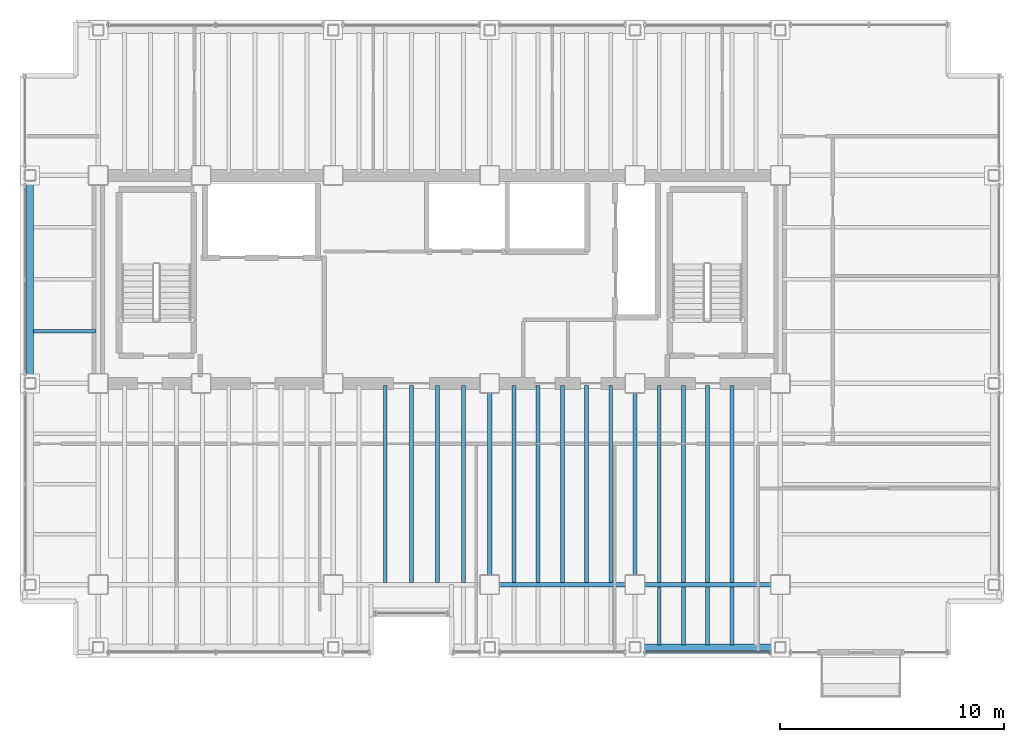
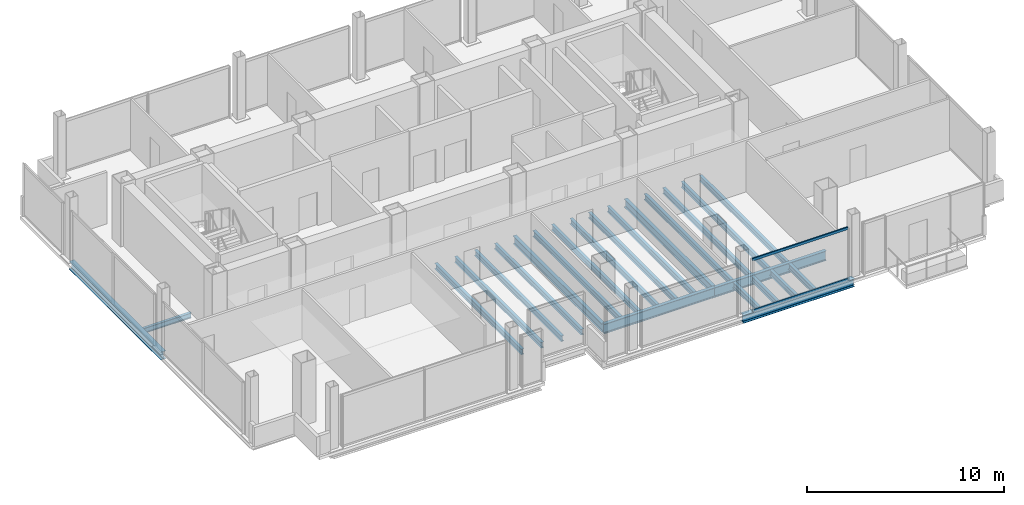
# One storey, part 5 of 16: 24 beams, 2 members, 1 element without a shape of its own.
"""IFC4 building model written with IfcOpenShell, lengths in metres."""

import ifcopenshell
import ifcopenshell.guid

model = None  # the IFC model being written
_history = None  # IfcOwnerHistory: only IFC2X3 demands one
_inside = {}  # id of a spatial element -> (the spatial element, [elements in it])
_under = {}  # id of a project, library or spatial element -> (it, [spatial elements below it])
_declared = {}  # id of a project -> (the project, [libraries it declares])
_typed = {}  # id of a type object -> (the type object, [elements of that type])
_made_of = {}  # id of a material, layer set ... -> (it, [elements and type objects made of it])


def new_model(schema):
    """Start an empty IFC model of exactly this schema.

    Asked for "IFC4X3", IfcOpenShell would pick the latest addendum, in which some entities
    have other attributes; the version numbers below select the first issue.
    IFC2X3 requires an IfcOwnerHistory on every rooted entity: one is made here for all.
    """
    global model, _history
    if schema == "IFC4X3":
        model = ifcopenshell.file(schema_version=(4, 3, 0, 0))
    else:
        model = ifcopenshell.file(schema=schema)
    _inside.clear()
    _under.clear()
    _declared.clear()
    _typed.clear()
    _made_of.clear()
    _history = None
    if model.schema == "IFC2X3":
        org = make("IfcOrganization", Name="unknown")
        user = make(
            "IfcPersonAndOrganization",
            ThePerson=make("IfcPerson", FamilyName="unknown"),
            TheOrganization=org,
        )
        app = make(
            "IfcApplication",
            ApplicationDeveloper=org,
            Version="unknown",
            ApplicationFullName="unknown",
            ApplicationIdentifier="unknown",
        )
        _history = make(
            "IfcOwnerHistory",
            OwningUser=user,
            OwningApplication=app,
            ChangeAction="ADDED",
            CreationDate=0,
        )
    return model


def make(cls, **values):
    """One entity of the class cls with the attributes given. An attribute that is None is left unset."""
    return model.create_entity(
        cls, **{name: value for name, value in values.items() if value is not None}
    )


def rooted(cls, **values):
    """An entity with a GlobalId (a new one), such as an element, a storey or a relation."""
    return make(cls, GlobalId=ifcopenshell.guid.new(), OwnerHistory=_history, **values)


def si_unit(unit_type, name, prefix=None):
    """IfcSIUnit, for example si_unit("LENGTHUNIT", "METRE", prefix="MILLI")."""
    return make("IfcSIUnit", UnitType=unit_type, Prefix=prefix, Name=name)


def assignment(units):
    """IfcUnitAssignment: the units of a project."""
    return None if units is None else make("IfcUnitAssignment", Units=units)


def point(xyz):
    """IfcCartesianPoint."""
    return None if xyz is None else make("IfcCartesianPoint", Coordinates=xyz)


def direction(xyz):
    """IfcDirection."""
    return None if xyz is None else make("IfcDirection", DirectionRatios=xyz)


def frame(location, z_axis=None, x_axis=None):
    """IfcAxis2Placement3D, a coordinate frame: its origin and axes. An axis left out is left unset."""
    return make(
        "IfcAxis2Placement3D",
        Location=point(location),
        Axis=direction(z_axis),
        RefDirection=direction(x_axis),
    )


def frame_2d(location, x_axis=None):
    """IfcAxis2Placement2D, a coordinate frame in the plane: its origin and x axis."""
    return make(
        "IfcAxis2Placement2D", Location=point(location), RefDirection=direction(x_axis)
    )


def origin():
    """The frame at (0, 0, 0) with its axes left unset."""
    return frame((0.0, 0.0, 0.0))


def origin_2d():
    """The frame at (0, 0) in the plane with its x axis left unset."""
    return frame_2d((0.0, 0.0))


def place(relative_to, where):
    """IfcLocalPlacement: puts the frame where relative to a parent placement (None: the world)."""
    return make(
        "IfcLocalPlacement", PlacementRelTo=relative_to, RelativePlacement=where
    )


def context(
    kind, dimensions, precision=None, world=None, true_north=None, identifier=None
):
    """IfcGeometricRepresentationContext, for example the 3D "Model" context."""
    return make(
        "IfcGeometricRepresentationContext",
        ContextIdentifier=identifier,
        ContextType=kind,
        CoordinateSpaceDimension=dimensions,
        Precision=precision,
        WorldCoordinateSystem=world,
        TrueNorth=true_north,
    )


def subcontext(parent, identifier, kind, view, scale=None):
    """IfcGeometricRepresentationSubContext, for example "Body" below "Model"."""
    return make(
        "IfcGeometricRepresentationSubContext",
        ContextIdentifier=identifier,
        ContextType=kind,
        ParentContext=parent,
        TargetScale=scale,
        TargetView=view,
    )


def project(units=None, contexts=None):
    """IfcProject with its units and contexts."""
    return rooted(
        "IfcProject",
        Name="project",
        RepresentationContexts=contexts,
        UnitsInContext=assignment(units),
    )


def spatial(cls, under=None, at=None, **own):
    """A site, building, storey or space (cls), placed at a placement, below another one or the project."""
    s = rooted(cls, ObjectPlacement=at, **own)
    if under is not None:
        _under.setdefault(under.id(), (under, []))[1].append(s)
    return s


def profile(cls, at=None, kind="AREA", **sizes):
    """A parametric profile (cls). Its sizes go by their IFC names, for example OverallWidth=200.0."""
    return make(cls, ProfileType=kind, Position=at, **sizes)


def hollow_rectangle(**sizes):
    """IfcRectangleHollowProfileDef."""
    return profile("IfcRectangleHollowProfileDef", **sizes)


def i_section(**sizes):
    """IfcIShapeProfileDef."""
    return profile("IfcIShapeProfileDef", **sizes)


def extrude(swept, where, along, depth):
    """IfcExtrudedAreaSolid: the profile swept, set in the frame where, extruded along a direction by depth."""
    return make(
        "IfcExtrudedAreaSolid",
        SweptArea=swept,
        Position=where,
        ExtrudedDirection=direction(along),
        Depth=depth,
    )


def shape(context_of_items, identifier, shape_type, items):
    """IfcShapeRepresentation: the items that make up one representation, for example the "Body"."""
    return make(
        "IfcShapeRepresentation",
        ContextOfItems=context_of_items,
        RepresentationIdentifier=identifier,
        RepresentationType=shape_type,
        Items=items,
    )


def material(Name=None, Category=None):
    """IfcMaterial."""
    return make("IfcMaterial", Name=Name, Category=Category)


def material_profile(
    of_material, cross_section, Name=None, Category=None, Priority=None
):
    """IfcMaterialProfile: a cross section and its material."""
    return make(
        "IfcMaterialProfile",
        Name=Name,
        Material=of_material,
        Profile=cross_section,
        Priority=Priority,
        Category=Category,
    )


def profile_set(profiles, Name=None, composite=None):
    """IfcMaterialProfileSet."""
    return make(
        "IfcMaterialProfileSet",
        Name=Name,
        MaterialProfiles=profiles,
        CompositeProfile=composite,
    )


def made_of(thing, what):
    """Note that an element or type object is made of a material, layer set ...; save() writes the relation."""
    if what is not None:
        _made_of.setdefault(what.id(), (what, []))[1].append(thing)
    return thing


def type_object(cls, material=None, **own):
    """A type object (cls), such as IfcWallType, which elements share."""
    return made_of(rooted(cls, **own), material)


def element(
    cls,
    number,
    at=None,
    inside=None,
    cuts=None,
    type_object=None,
    material=None,
    context=None,
    identifier="Body",
    shape_type=None,
    held_by="IfcProductDefinitionShape",
    body=None,
    shapes=None,
    **own,
):
    """One element of the class cls, such as IfcWall. Its Tag is "e" and its number.

    at: its placement. inside: the storey or other place that contains it. cuts: it is an
    opening in that element (IfcRelVoidsElement). A single representation is given by context,
    identifier, shape_type and body (its items); several are given by shapes. held_by: the class
    of the entity that holds the representations. save() writes the other relations.
    """
    e = rooted(cls, Tag="e%d" % number, ObjectPlacement=at, **own)
    if body is not None:
        shapes = [shape(context, identifier, shape_type, body)]
    if shapes is not None:
        e.Representation = make(held_by, Representations=shapes)
    if inside is not None:
        _inside.setdefault(inside.id(), (inside, []))[1].append(e)
    if cuts is not None:
        rooted(
            "IfcRelVoidsElement", RelatingBuildingElement=cuts, RelatedOpeningElement=e
        )
    if type_object is not None:
        _typed.setdefault(type_object.id(), (type_object, []))[1].append(e)
    return made_of(e, material)


def aggregate(whole, parts):
    """IfcRelAggregates: a whole, such as a stair, and the parts it consists of."""
    return rooted("IfcRelAggregates", RelatingObject=whole, RelatedObjects=parts)


def save(model, path):
    """Write the relations noted so far, then the file.

    IfcRelAggregates (storeys below a building ...), IfcRelContainedInSpatialStructure (elements
    in a storey), IfcRelDefinesByType, IfcRelAssociatesMaterial and IfcRelDeclares: one each for
    every whole, place, type object, material and project.
    """
    for whole, parts in _under.values():
        aggregate(whole, parts)
    for where, things in _inside.values():
        rooted(
            "IfcRelContainedInSpatialStructure",
            RelatedElements=things,
            RelatingStructure=where,
        )
    for kind, things in _typed.values():
        rooted("IfcRelDefinesByType", RelatedObjects=things, RelatingType=kind)
    for what, things in _made_of.values():
        rooted("IfcRelAssociatesMaterial", RelatedObjects=things, RelatingMaterial=what)
    for by, libraries in _declared.values():
        rooted("IfcRelDeclares", RelatingContext=by, RelatedDefinitions=libraries)
    model.write(path)


model = new_model("IFC4")

# Units and contexts
model_context = context("Model", 3, precision=1e-05, world=origin(), true_north=direction((0.0, 1.0)))
body_context = subcontext(model_context, "Body", "Model", "MODEL_VIEW")
ifc_project = project(units=[si_unit("LENGTHUNIT", "METRE"), si_unit("AREAUNIT", "SQUARE_METRE"), si_unit("VOLUMEUNIT", "CUBIC_METRE"), si_unit("PLANEANGLEUNIT", "RADIAN"), si_unit("MASSUNIT", "GRAM", prefix="KILO")], contexts=[model_context])

# Site, building, storey
site_placement = place(None, origin())
site = spatial("IfcSite", under=ifc_project, at=site_placement, CompositionType="ELEMENT")
building_placement = place(site_placement, origin())
building = spatial("IfcBuilding", under=site, at=building_placement, Name="Noeulbin Bourse Tower", CompositionType="ELEMENT")
storey_placement = place(building_placement, frame((0.0, 0.0, 177.300048828125)))
storey = spatial("IfcBuildingStorey", under=building, at=storey_placement, Name="L44", CompositionType="ELEMENT", Elevation=177.300048828125)

# Beams
ifc_material_1 = material(Name="Steel S355", Category="steel")
ifc_material_profile_1 = material_profile(ifc_material_1, i_section(OverallWidth=0.199951171875, OverallDepth=0.5, WebThickness=0.010009765625, FlangeThickness=0.01611328125, FilletRadius=0.02001953125, at=origin_2d()), Name="H-500x200x10x16", Category="LoadBearing")
ifc_profile_set_1 = profile_set([ifc_material_profile_1], Name="Steel S355")
beam_type_1 = type_object("IfcBeamType", Name="BM-GRD-500", PredefinedType="USERDEFINED", material=ifc_profile_set_1)
for number, where, z_axis, x_axis, name in (
    (1, (31.0, 20.0, -0.429931640625), (0.0, 1.0, 0.0), (-1.0, 0.0, 0.0), "Tower Primary Girder NS L44-3.2"),
    (2, (37.5, 20.0, -0.429931640625), (0.0, 1.0, 0.0), (-1.0, 0.0, 0.0), "Tower Primary Girder NS L44-4.2"),
):
    element("IfcBeam", number, at=place(storey_placement, frame(where, z_axis=z_axis, x_axis=x_axis)), inside=storey, type_object=beam_type_1, Name=name, ObjectType="GIRDER", PredefinedType="USERDEFINED", context=body_context, shape_type="SweptSolid", body=[
        extrude(i_section(OverallWidth=0.199951171875, OverallDepth=0.5, WebThickness=0.010009765625, FlangeThickness=0.01611328125, FilletRadius=0.02001953125, at=origin_2d()), origin(), (0.0, 0.0, 1.0), 9.0),
    ])
ifc_material_profile_2 = material_profile(ifc_material_1, i_section(OverallWidth=0.199951171875, OverallDepth=0.60009765625, WebThickness=0.010986328125, FlangeThickness=0.01708984375, FilletRadius=0.02197265625, at=origin_2d()), Name="H-600x200x11x17", Category="LoadBearing")
ifc_profile_set_2 = profile_set([ifc_material_profile_2], Name="Steel S355")
beam_type_2 = type_object("IfcBeamType", Name="BM-GRD-600", PredefinedType="USERDEFINED", material=ifc_profile_set_2)
for number, where, z_axis, x_axis, name in (
    (3, (31.0, 20.0, -0.47998046875), (1.0, 0.0, 0.0), (0.0, 1.0, 0.0), "Tower Primary Girder EW L44-1.4"),
    (4, (37.5, 20.0, -0.47998046875), (1.0, 0.0, 0.0), (0.0, 1.0, 0.0), "Tower Primary Girder EW L44-1.5"),
):
    element("IfcBeam", number, at=place(storey_placement, frame(where, z_axis=z_axis, x_axis=x_axis)), inside=storey, type_object=beam_type_2, Name=name, ObjectType="GIRDER", PredefinedType="USERDEFINED", context=body_context, shape_type="SweptSolid", body=[
        extrude(i_section(OverallWidth=0.199951171875, OverallDepth=0.60009765625, WebThickness=0.010986328125, FlangeThickness=0.01708984375, FilletRadius=0.02197265625, at=origin_2d()), origin(), (0.0, 0.0, 1.0), 6.5),
    ])
ifc_material_profile_3 = material_profile(ifc_material_1, i_section(OverallWidth=0.159912109375, OverallDepth=0.320068359375, WebThickness=0.006591796875, FlangeThickness=0.010009765625, FilletRadius=0.012939453125, at=origin_2d()), Name="H-320x160x6.5x10", Category="LoadBearing")
ifc_profile_set_3 = profile_set([ifc_material_profile_3], Name="Steel S355")
beam_type_3 = type_object("IfcBeamType", Name="BM-JST-320", PredefinedType="JOIST", material=ifc_profile_set_3)
beam_1_placement = place(storey_placement, frame((10.60009765625, 31.324951171875, -0.340087890625), z_axis=(1.0, 0.0, 0.0), x_axis=(0.0, 1.0, 0.0)))
element("IfcBeam", 5, at=beam_1_placement, inside=storey, type_object=beam_type_3, Name="Wing Composite Joist L44-W70", PredefinedType="JOIST", context=body_context, shape_type="SweptSolid", body=[
    extrude(i_section(OverallWidth=0.159912109375, OverallDepth=0.320068359375, WebThickness=0.006591796875, FlangeThickness=0.010009765625, FilletRadius=0.012939453125, at=origin_2d()), origin(), (0.0, 0.0, 1.0), 2.7998046875),
])
ifc_material_profile_4 = material_profile(ifc_material_1, i_section(OverallWidth=0.175048828125, OverallDepth=0.35009765625, WebThickness=0.007080078125, FlangeThickness=0.010986328125, FilletRadius=0.013916015625, at=origin_2d()), Name="H-350x175x7x11", Category="LoadBearing")
ifc_profile_set_4 = profile_set([ifc_material_profile_4], Name="Steel S355")
beam_type_4 = type_object("IfcBeamType", Name="BM-JST-350", PredefinedType="JOIST", material=ifc_profile_set_4)
for number, where, z_axis, x_axis, name in (
    (6, (26.333251953125, 20.10009765625, -0.35498046875), (0.0, 1.0, 0.0), (-1.0, 0.0, 0.0), "Tower Composite Joist L44-28"),
    (7, (27.5, 20.10009765625, -0.35498046875), (0.0, 1.0, 0.0), (-1.0, 0.0, 0.0), "Tower Composite Joist L44-30"),
    (8, (28.666748046875, 20.10009765625, -0.35498046875), (0.0, 1.0, 0.0), (-1.0, 0.0, 0.0), "Tower Composite Joist L44-32"),
    (9, (29.833251953125, 20.10009765625, -0.35498046875), (0.0, 1.0, 0.0), (-1.0, 0.0, 0.0), "Tower Composite Joist L44-35"),
    (10, (32.083251953125, 20.10009765625, -0.35498046875), (0.0, 1.0, 0.0), (-1.0, 0.0, 0.0), "Tower Composite Joist L44-38"),
    (11, (33.166748046875, 20.10009765625, -0.35498046875), (0.0, 1.0, 0.0), (-1.0, 0.0, 0.0), "Tower Composite Joist L44-41"),
    (12, (34.25, 20.10009765625, -0.35498046875), (0.0, 1.0, 0.0), (-1.0, 0.0, 0.0), "Tower Composite Joist L44-44"),
    (13, (35.333251953125, 20.10009765625, -0.35498046875), (0.0, 1.0, 0.0), (-1.0, 0.0, 0.0), "Tower Composite Joist L44-47"),
    (14, (36.416748046875, 20.10009765625, -0.35498046875), (0.0, 1.0, 0.0), (-1.0, 0.0, 0.0), "Tower Composite Joist L44-50"),
):
    element("IfcBeam", number, at=place(storey_placement, frame(where, z_axis=z_axis, x_axis=x_axis)), inside=storey, type_object=beam_type_4, Name=name, PredefinedType="JOIST", context=body_context, shape_type="SweptSolid", body=[
        extrude(i_section(OverallWidth=0.175048828125, OverallDepth=0.35009765625, WebThickness=0.007080078125, FlangeThickness=0.010986328125, FilletRadius=0.013916015625, at=origin_2d()), origin(), (0.0, 0.0, 1.0), 8.7998046875),
    ])
beam_2_placement = place(storey_placement, frame((38.583251953125, 17.300048828125, -0.35498046875), z_axis=(0.0, 1.0, 0.0), x_axis=(-1.0, 0.0, 0.0)))
element("IfcBeam", 15, at=beam_2_placement, inside=storey, type_object=beam_type_4, Name="Tower Composite Joist L44-52", PredefinedType="JOIST", context=body_context, shape_type="SweptSolid", body=[
    extrude(i_section(OverallWidth=0.175048828125, OverallDepth=0.35009765625, WebThickness=0.007080078125, FlangeThickness=0.010986328125, FilletRadius=0.013916015625, at=origin_2d()), origin(), (0.0, 0.0, 1.0), 2.599853515625),
])
beam_3_placement = place(storey_placement, frame((38.583251953125, 20.10009765625, -0.35498046875), z_axis=(0.0, 1.0, 0.0), x_axis=(-1.0, 0.0, 0.0)))
element("IfcBeam", 16, at=beam_3_placement, inside=storey, type_object=beam_type_4, Name="Tower Composite Joist L44-53", PredefinedType="JOIST", context=body_context, shape_type="SweptSolid", body=[
    extrude(i_section(OverallWidth=0.175048828125, OverallDepth=0.35009765625, WebThickness=0.007080078125, FlangeThickness=0.010986328125, FilletRadius=0.013916015625, at=origin_2d()), origin(), (0.0, 0.0, 1.0), 8.7998046875),
])
beam_4_placement = place(storey_placement, frame((39.666748046875, 17.300048828125, -0.35498046875), z_axis=(0.0, 1.0, 0.0), x_axis=(-1.0, 0.0, 0.0)))
element("IfcBeam", 17, at=beam_4_placement, inside=storey, type_object=beam_type_4, Name="Tower Composite Joist L44-55", PredefinedType="JOIST", context=body_context, shape_type="SweptSolid", body=[
    extrude(i_section(OverallWidth=0.175048828125, OverallDepth=0.35009765625, WebThickness=0.007080078125, FlangeThickness=0.010986328125, FilletRadius=0.013916015625, at=origin_2d()), origin(), (0.0, 0.0, 1.0), 2.599853515625),
])
beam_5_placement = place(storey_placement, frame((39.666748046875, 20.10009765625, -0.35498046875), z_axis=(0.0, 1.0, 0.0), x_axis=(-1.0, 0.0, 0.0)))
element("IfcBeam", 18, at=beam_5_placement, inside=storey, type_object=beam_type_4, Name="Tower Composite Joist L44-56", PredefinedType="JOIST", context=body_context, shape_type="SweptSolid", body=[
    extrude(i_section(OverallWidth=0.175048828125, OverallDepth=0.35009765625, WebThickness=0.007080078125, FlangeThickness=0.010986328125, FilletRadius=0.013916015625, at=origin_2d()), origin(), (0.0, 0.0, 1.0), 8.7998046875),
])
beam_6_placement = place(storey_placement, frame((40.75, 17.300048828125, -0.35498046875), z_axis=(0.0, 1.0, 0.0), x_axis=(-1.0, 0.0, 0.0)))
element("IfcBeam", 19, at=beam_6_placement, inside=storey, type_object=beam_type_4, Name="Tower Composite Joist L44-58", PredefinedType="JOIST", context=body_context, shape_type="SweptSolid", body=[
    extrude(i_section(OverallWidth=0.175048828125, OverallDepth=0.35009765625, WebThickness=0.007080078125, FlangeThickness=0.010986328125, FilletRadius=0.013916015625, at=origin_2d()), origin(), (0.0, 0.0, 1.0), 2.599853515625),
])
beam_7_placement = place(storey_placement, frame((40.75, 20.10009765625, -0.35498046875), z_axis=(0.0, 1.0, 0.0), x_axis=(-1.0, 0.0, 0.0)))
element("IfcBeam", 20, at=beam_7_placement, inside=storey, type_object=beam_type_4, Name="Tower Composite Joist L44-59", PredefinedType="JOIST", context=body_context, shape_type="SweptSolid", body=[
    extrude(i_section(OverallWidth=0.175048828125, OverallDepth=0.35009765625, WebThickness=0.007080078125, FlangeThickness=0.010986328125, FilletRadius=0.013916015625, at=origin_2d()), origin(), (0.0, 0.0, 1.0), 8.7998046875),
])
beam_8_placement = place(storey_placement, frame((41.833251953125, 17.300048828125, -0.35498046875), z_axis=(0.0, 1.0, 0.0), x_axis=(-1.0, 0.0, 0.0)))
element("IfcBeam", 21, at=beam_8_placement, inside=storey, type_object=beam_type_4, Name="Tower Composite Joist L44-61", PredefinedType="JOIST", context=body_context, shape_type="SweptSolid", body=[
    extrude(i_section(OverallWidth=0.175048828125, OverallDepth=0.35009765625, WebThickness=0.007080078125, FlangeThickness=0.010986328125, FilletRadius=0.013916015625, at=origin_2d()), origin(), (0.0, 0.0, 1.0), 2.599853515625),
])
beam_9_placement = place(storey_placement, frame((41.833251953125, 20.10009765625, -0.35498046875), z_axis=(0.0, 1.0, 0.0), x_axis=(-1.0, 0.0, 0.0)))
element("IfcBeam", 22, at=beam_9_placement, inside=storey, type_object=beam_type_4, Name="Tower Composite Joist L44-62", PredefinedType="JOIST", context=body_context, shape_type="SweptSolid", body=[
    extrude(i_section(OverallWidth=0.175048828125, OverallDepth=0.35009765625, WebThickness=0.007080078125, FlangeThickness=0.010986328125, FilletRadius=0.013916015625, at=origin_2d()), origin(), (0.0, 0.0, 1.0), 8.7998046875),
])
ifc_material_profile_5 = material_profile(ifc_material_1, i_section(OverallWidth=0.300048828125, OverallDepth=0.488037109375, WebThickness=0.010986328125, FlangeThickness=0.01806640625, FilletRadius=0.02197265625, at=origin_2d()), Name="H-488x300x11x18", Category="LoadBearing")
ifc_profile_set_5 = profile_set([ifc_material_profile_5], Name="Steel S355")
beam_type_5 = type_object("IfcBeamType", Name="BM-SPN-488", PredefinedType="SPANDREL", material=ifc_profile_set_5)
beam_10_placement = place(storey_placement, frame((37.5, 17.199951171875, -0.424072265625), z_axis=(1.0, 0.0, 0.0), x_axis=(0.0, 1.0, 0.0)))
element("IfcBeam", 23, at=beam_10_placement, inside=storey, type_object=beam_type_5, Name="South Spandrel L44-4", PredefinedType="SPANDREL", context=body_context, shape_type="SweptSolid", body=[
    extrude(i_section(OverallWidth=0.300048828125, OverallDepth=0.488037109375, WebThickness=0.010986328125, FlangeThickness=0.01806640625, FilletRadius=0.02197265625, at=origin_2d()), origin(), (0.0, 0.0, 1.0), 6.5),
])
beam_11_placement = place(storey_placement, frame((10.449951171875, 29.0, -0.424072265625), z_axis=(0.0, 1.0, 0.0), x_axis=(-1.0, 0.0, 0.0)))
element("IfcBeam", 24, at=beam_11_placement, inside=storey, type_object=beam_type_5, Name="West Spandrel L44-2", PredefinedType="SPANDREL", context=body_context, shape_type="SweptSolid", body=[
    extrude(i_section(OverallWidth=0.300048828125, OverallDepth=0.488037109375, WebThickness=0.010986328125, FlangeThickness=0.01806640625, FilletRadius=0.02197265625, at=origin_2d()), origin(), (0.0, 0.0, 1.0), 9.300048828125),
])

# Curtain wall, members
ifc_material_2 = material(Name="Dark Tinted Triple Glazing", Category="glass")
curtain_wall_type = type_object("IfcCurtainWallType", Name="CW-SYS-3", PredefinedType="NOTDEFINED", material=ifc_material_2)
curtain_wall_placement = place(storey_placement, origin())
curtain_wall = element("IfcCurtainWall", 25, at=curtain_wall_placement, inside=storey, type_object=curtain_wall_type, Name="Unitised Curtain Wall CW-L44-S2-S3", PredefinedType="NOTDEFINED")
ifc_material_3 = material(Name="Anodised Aluminium 6063-T6", Category="aluminium")
ifc_material_profile_6 = material_profile(ifc_material_3, hollow_rectangle(XDim=0.074951171875, YDim=0.159912109375, WallThickness=0.0048828125, InnerFilletRadius=0.00244140625, OuterFilletRadius=0.0048828125, at=origin_2d()), Name="ALU-TRAN-75x160x5", Category="LoadBearing")
ifc_profile_set_6 = profile_set([ifc_material_profile_6], Name="Anodised Aluminium 6063-T6")
member_type = type_object("IfcMemberType", Name="CW-SYS-3-TRN", PredefinedType="USERDEFINED", material=ifc_profile_set_6)
member_1_placement = place(storey_placement, frame((37.9599609375, 16.969970703125, 0.010009765625), z_axis=(1.0, 0.0, 0.0), x_axis=(0.0, 1.0, 0.0)))
member_1 = element("IfcMember", 26, at=member_1_placement, type_object=member_type, Name="Curtain Wall Transom CW-L44-S2-S3-T00", ObjectType="TRANSOM", PredefinedType="USERDEFINED", context=body_context, shape_type="SweptSolid", body=[
    extrude(hollow_rectangle(XDim=0.074951171875, YDim=0.159912109375, WallThickness=0.0048828125, InnerFilletRadius=0.00244140625, OuterFilletRadius=0.0048828125, at=origin_2d()), origin(), (0.0, 0.0, 1.0), 5.580078125),
])
member_2_placement = place(storey_placement, frame((37.9599609375, 16.969970703125, 3.169921875), z_axis=(1.0, 0.0, 0.0), x_axis=(0.0, 1.0, 0.0)))
member_2 = element("IfcMember", 27, at=member_2_placement, type_object=member_type, Name="Curtain Wall Transom CW-L44-S2-S3-T01", ObjectType="TRANSOM", PredefinedType="USERDEFINED", context=body_context, shape_type="SweptSolid", body=[
    extrude(hollow_rectangle(XDim=0.074951171875, YDim=0.159912109375, WallThickness=0.0048828125, InnerFilletRadius=0.00244140625, OuterFilletRadius=0.0048828125, at=origin_2d()), origin(), (0.0, 0.0, 1.0), 5.580078125),
])
aggregate(curtain_wall, [member_1, member_2])

save(model, "model.ifc")
